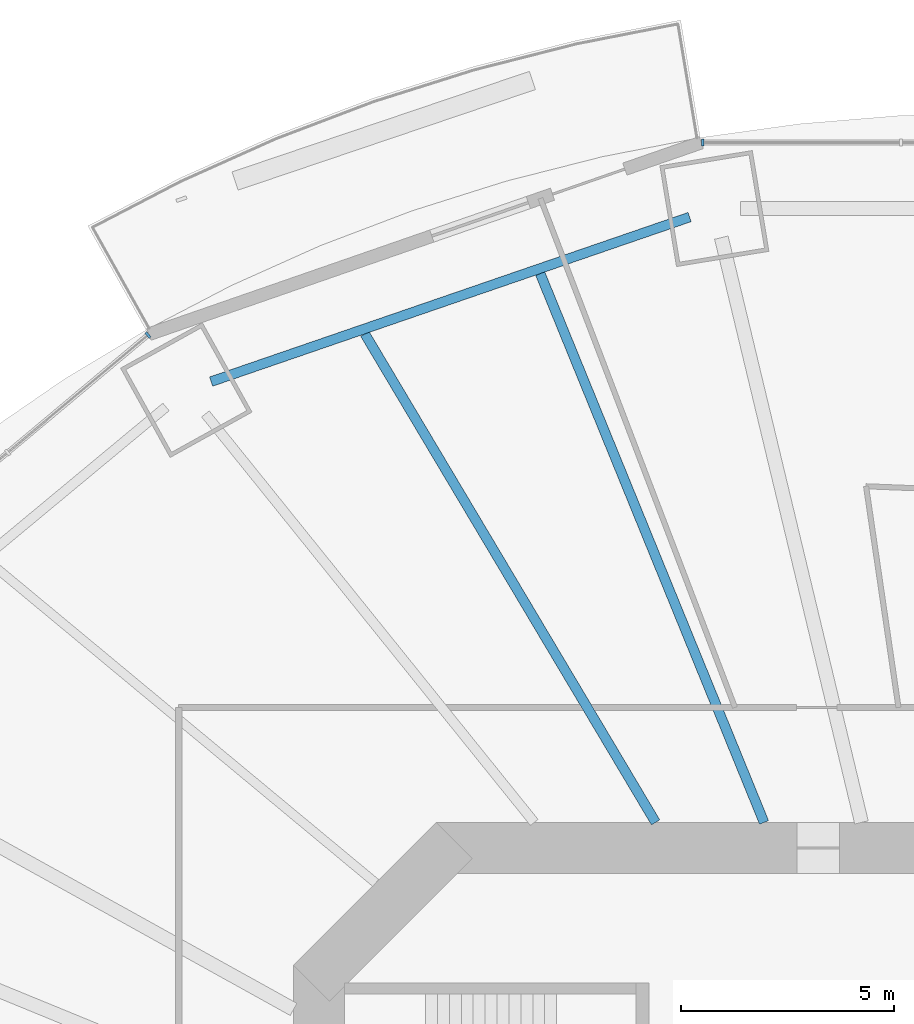
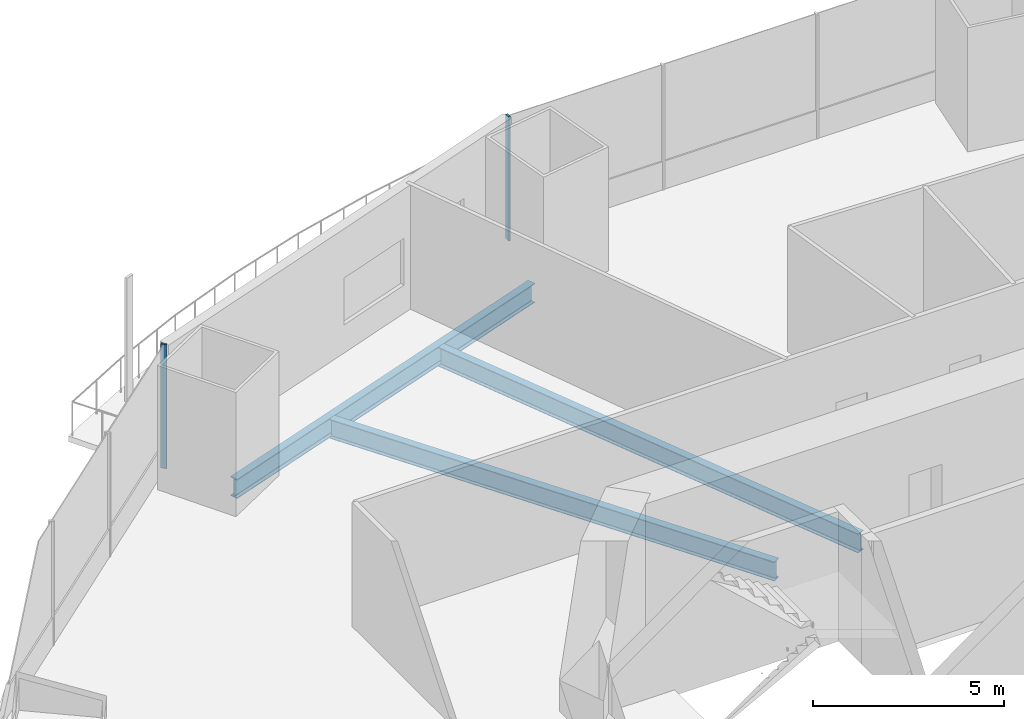
# One storey, part 7 of 23: 3 beams, 2 members, 2 elements without a shape of their own.
"""IFC4 building model written with IfcOpenShell, lengths in metres."""

from ifc_helpers import new_model, si_unit, direction, frame, origin, origin_2d, place, context, subcontext, project, spatial, rectangle, i_section, extrude, material, material_profile, profile_set, type_object, element, aggregate, save


model = new_model("IFC4")

# Units and contexts
model_context = context("Model", 3, precision=1e-05, world=origin(), true_north=direction((0.0, 1.0)))
body_context = subcontext(model_context, "Body", "Model", "MODEL_VIEW")
ifc_project = project(units=[si_unit("LENGTHUNIT", "METRE"), si_unit("AREAUNIT", "SQUARE_METRE"), si_unit("VOLUMEUNIT", "CUBIC_METRE"), si_unit("PLANEANGLEUNIT", "RADIAN"), si_unit("MASSUNIT", "GRAM", prefix="KILO")], contexts=[model_context])

# Site, building, storey
site_placement = place(None, origin())
site = spatial("IfcSite", under=ifc_project, at=site_placement, CompositionType="ELEMENT")
building_placement = place(site_placement, origin())
building = spatial("IfcBuilding", under=site, at=building_placement, Name="Marenthal Gate Tower", CompositionType="ELEMENT")
storey_placement = place(building_placement, frame((0.0, 0.0, 57.89990234375)))
storey = spatial("IfcBuildingStorey", under=building, at=storey_placement, Name="L10", CompositionType="ELEMENT", Elevation=57.89990234375)

# Curtain wall, member
ifc_material_1 = material(Name="Aluminium and glass", Category="aluminium")
curtain_wall_type = type_object("IfcCurtainWallType", Name="Curtain wall typical low", PredefinedType="NOTDEFINED", material=ifc_material_1)
curtain_wall_1_placement = place(storey_placement, origin())
curtain_wall_1 = element("IfcCurtainWall", 1, at=curtain_wall_1_placement, inside=storey, type_object=curtain_wall_type, Name="Curtain wall L10 bay 4", PredefinedType="NOTDEFINED")
ifc_material_2 = material(Name="Aluminium", Category="aluminium")
ifc_material_profile_1 = material_profile(ifc_material_2, rectangle(XDim=0.159912109375, YDim=0.06005859375, at=origin_2d()), Name="60x160 aluminium mullion")
ifc_profile_set_1 = profile_set([ifc_material_profile_1], Name="Aluminium")
member_type = type_object("IfcMemberType", Name="Mullion 60x160 typical low", PredefinedType="MULLION", material=ifc_profile_set_1)
member_1_placement = place(storey_placement, frame((-6.9921875, 29.569580078125, 0.0), z_axis=(0.0, 0.0, 1.0), x_axis=(0.0, -1.0, 0.0)))
member_1 = element("IfcMember", 2, at=member_1_placement, type_object=member_type, Name="Mullion L10 bay 4.4", PredefinedType="MULLION", context=body_context, shape_type="SweptSolid", body=[
    extrude(rectangle(XDim=0.159912109375, YDim=0.06005859375, at=origin_2d()), origin(), (0.0, 0.0, 1.0), 3.97021484375),
])
aggregate(curtain_wall_1, [member_1])

curtain_wall_2_placement = place(storey_placement, origin())
curtain_wall_2 = element("IfcCurtainWall", 3, at=curtain_wall_2_placement, inside=storey, type_object=curtain_wall_type, Name="Curtain wall L10 bay 6", PredefinedType="NOTDEFINED")
member_2_placement = place(storey_placement, frame((-20.020751953125, 25.048828125, 0.0), z_axis=(0.0, 0.0, 1.0), x_axis=(0.642111737517, -0.766611059497, 0.0)))
member_2 = element("IfcMember", 4, at=member_2_placement, type_object=member_type, Name="Mullion L10 bay 6.1", PredefinedType="MULLION", context=body_context, shape_type="SweptSolid", body=[
    extrude(rectangle(XDim=0.159912109375, YDim=0.06005859375, at=origin_2d()), origin(), (0.0, 0.0, 1.0), 3.97021484375),
])
aggregate(curtain_wall_2, [member_2])

# Beams
ifc_material_3 = material(Name="Steel S355", Category="steel")
ifc_material_profile_2 = material_profile(ifc_material_3, i_section(OverallWidth=0.22900390625, OverallDepth=0.612060546875, WebThickness=0.011962890625, FlangeThickness=0.01953125, FilletRadius=0.0126953125, at=origin_2d()), Name="W610X125")
ifc_profile_set_2 = profile_set([ifc_material_profile_2], Name="Steel S355")
beam_type = type_object("IfcBeamType", Name="W610X125 beam", PredefinedType="BEAM", material=ifc_profile_set_2)
beam_1_placement = place(storey_placement, frame((-10.805908203125, 26.491943359375, -0.48583984375), z_axis=(0.377685635209, -0.925933885845, 0.0), x_axis=(0.925933885845, 0.377685635209, 0.0)))
element("IfcBeam", 5, at=beam_1_placement, inside=storey, type_object=beam_type, Name="BM-L10-23", PredefinedType="BEAM", context=body_context, shape_type="SweptSolid", body=[
    extrude(i_section(OverallWidth=0.22900390625, OverallDepth=0.612060546875, WebThickness=0.011962890625, FlangeThickness=0.01953125, FilletRadius=0.0126953125, at=origin_2d()), origin(), (0.0, 0.0, 1.0), 13.923095703125),
])
beam_2_placement = place(storey_placement, frame((-14.9248046875, 25.07568359375, -0.48583984375), z_axis=(0.51146264721, -0.859305510578, 0.0), x_axis=(0.859305510578, 0.51146264721, 0.0)))
element("IfcBeam", 6, at=beam_2_placement, inside=storey, type_object=beam_type, Name="BM-L10-24", PredefinedType="BEAM", context=body_context, shape_type="SweptSolid", body=[
    extrude(i_section(OverallWidth=0.22900390625, OverallDepth=0.612060546875, WebThickness=0.011962890625, FlangeThickness=0.01953125, FilletRadius=0.0126953125, at=origin_2d()), origin(), (0.0, 0.0, 1.0), 13.3544921875),
])
beam_3_placement = place(storey_placement, frame((-7.296142578125, 27.81982421875, -0.48583984375), z_axis=(-0.945656601656, -0.325167021304, 0.0), x_axis=(0.325167021304, -0.945656601656, 0.0)))
element("IfcBeam", 7, at=beam_3_placement, inside=storey, type_object=beam_type, Name="BM-L10-45", PredefinedType="BEAM", context=body_context, shape_type="SweptSolid", body=[
    extrude(i_section(OverallWidth=0.22900390625, OverallDepth=0.612060546875, WebThickness=0.011962890625, FlangeThickness=0.01953125, FilletRadius=0.0126953125, at=origin_2d()), origin(), (0.0, 0.0, 1.0), 11.88623046875),
])

save(model, "model.ifc")
